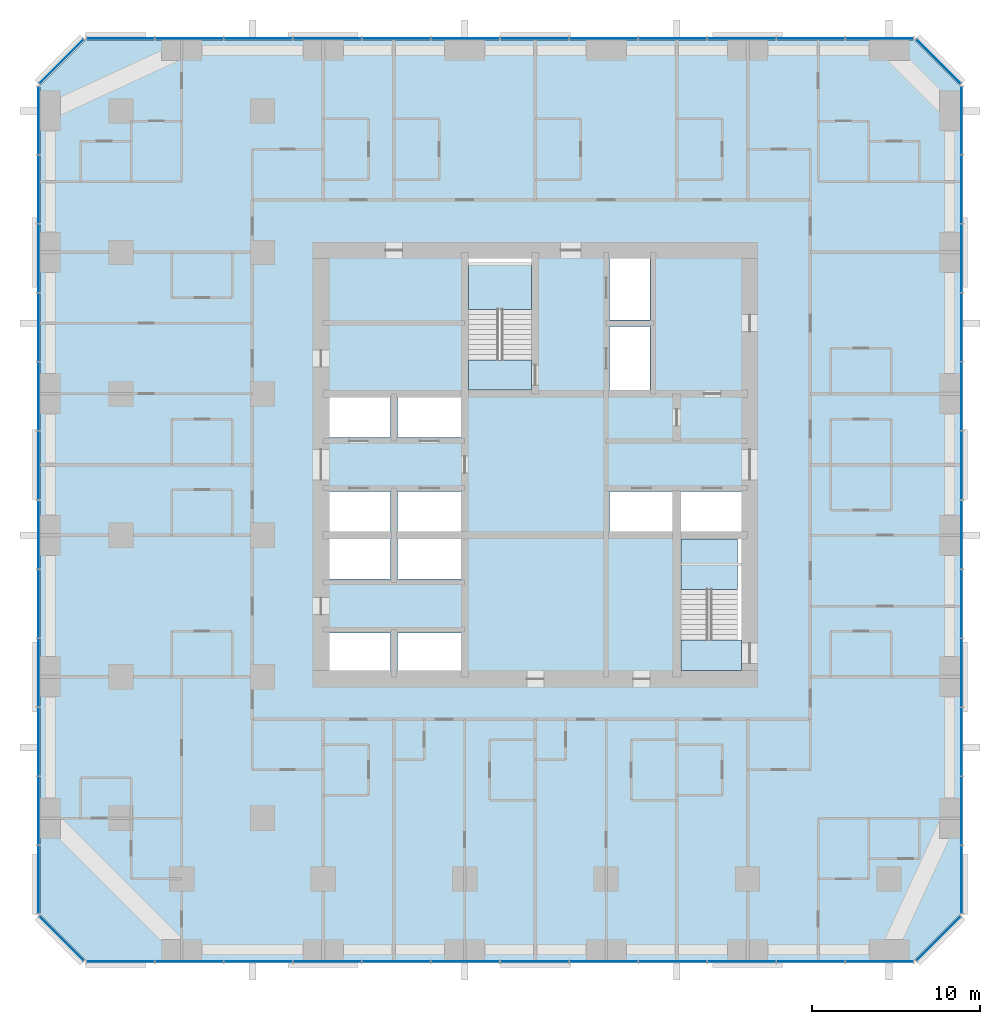
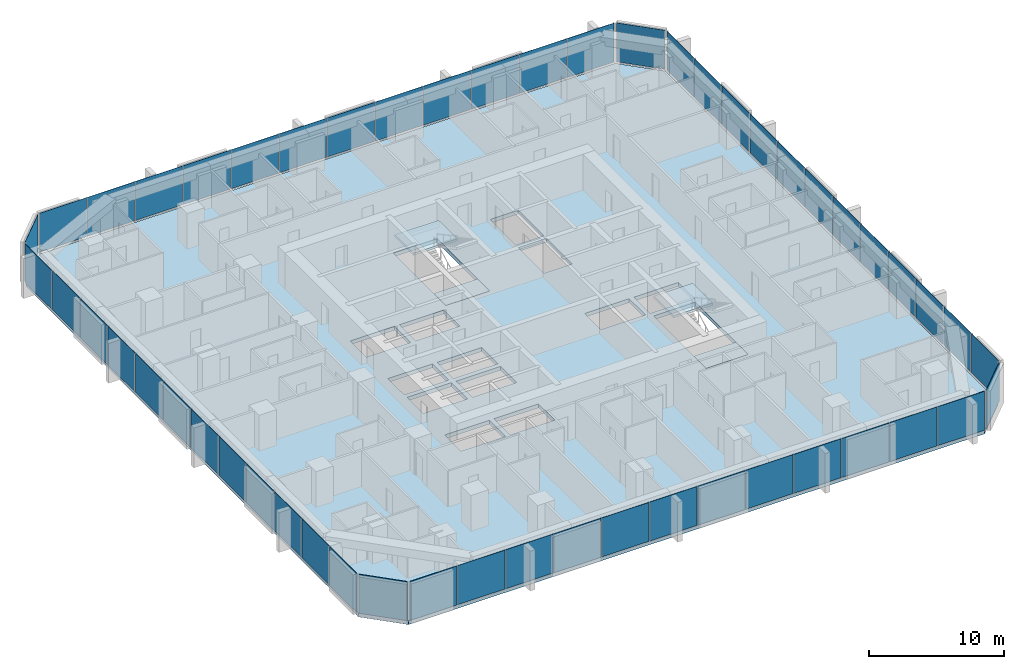
# One storey, part 7 of 14: 52 plates, 5 slabs, 10 elements without a shape of their own.
"""IFC4 building model written with IfcOpenShell, lengths in metres."""

from ifc_helpers import new_model, si_unit, direction, frame, origin, origin_2d, place, context, subcontext, project, spatial, polyline, rectangle, outline, extrude, material, layer, layer_set, type_object, element, aggregate, save


model = new_model("IFC4")

# Units and contexts
model_context = context("Model", 3, precision=1e-05, world=origin(), true_north=direction((0.0, 1.0)))
body_context = subcontext(model_context, "Body", "Model", "MODEL_VIEW")
ifc_project = project(units=[si_unit("LENGTHUNIT", "METRE"), si_unit("AREAUNIT", "SQUARE_METRE"), si_unit("VOLUMEUNIT", "CUBIC_METRE"), si_unit("PLANEANGLEUNIT", "RADIAN"), si_unit("MASSUNIT", "GRAM", prefix="KILO")], contexts=[model_context])

# Site, building, storey
site_placement = place(None, origin())
site = spatial("IfcSite", under=ifc_project, at=site_placement, CompositionType="ELEMENT")
building_placement = place(site_placement, origin())
building = spatial("IfcBuilding", under=site, at=building_placement, Name="Dunama Terrace Hotel", CompositionType="ELEMENT")
storey_placement = place(building_placement, frame((0.0, 0.0, 140.39990234375)))
storey = spatial("IfcBuildingStorey", under=building, at=storey_placement, Name="L36", CompositionType="ELEMENT", Elevation=140.39990234375)

# Curtain wall, plates
ifc_material_1 = material(Name="Aluminium curtain wall system", Category="aluminium")
curtain_wall_type = type_object("IfcCurtainWallType", Name="Unitised fritted glass wall CW-B", PredefinedType="NOTDEFINED", material=ifc_material_1)
curtain_wall_1_placement = place(storey_placement, origin())
curtain_wall_1 = element("IfcCurtainWall", 1, at=curtain_wall_1_placement, inside=storey, type_object=curtain_wall_type, Name="Unitised fritted glass wall CW-B L36", PredefinedType="NOTDEFINED")
ifc_material_2 = material(Name="Laminated glass", Category="glass")
ifc_layer_1 = layer(ifc_material_2, 0.030029296875)
ifc_layer_set_1 = layer_set([ifc_layer_1], Name="CWB clear glass panel")
plate_type_1 = type_object("IfcPlateType", Name="CWB clear glass panel", PredefinedType="CURTAIN_PANEL", material=ifc_layer_set_1)
plate_1_placement = place(storey_placement, frame((8.85009765625, -0.110107421875, 0.080078125), z_axis=(0.0, 0.0, 1.0), x_axis=(1.0, 0.0, 0.0)))
plate_1 = element("IfcPlate", 2, at=plate_1_placement, type_object=plate_type_1, Name="CWB clear glass panel", PredefinedType="CURTAIN_PANEL", context=body_context, shape_type="SweptSolid", body=[
    extrude(rectangle(XDim=4.034912109375, YDim=0.030029296875, at=origin_2d()), origin(), (0.0, 0.0, 1.0), 3.52001953125),
])
plate_2_placement = place(storey_placement, frame((21.14990234375, -0.110107421875, 0.080078125), z_axis=(0.0, 0.0, 1.0), x_axis=(1.0, 0.0, 0.0)))
plate_2 = element("IfcPlate", 3, at=plate_2_placement, type_object=plate_type_1, Name="CWB clear glass panel", PredefinedType="CURTAIN_PANEL", context=body_context, shape_type="SweptSolid", body=[
    extrude(rectangle(XDim=4.034912109375, YDim=0.030029296875, at=origin_2d()), origin(), (0.0, 0.0, 1.0), 3.52001953125),
])
plate_3_placement = place(storey_placement, frame((33.449951171875, -0.110107421875, 0.080078125), z_axis=(0.0, 0.0, 1.0), x_axis=(1.0, 0.0, 0.0)))
plate_3 = element("IfcPlate", 4, at=plate_3_placement, type_object=plate_type_1, Name="CWB clear glass panel", PredefinedType="CURTAIN_PANEL", context=body_context, shape_type="SweptSolid", body=[
    extrude(rectangle(XDim=4.034912109375, YDim=0.030029296875, at=origin_2d()), origin(), (0.0, 0.0, 1.0), 3.52001953125),
])
plate_4_placement = place(storey_placement, frame((45.75, -0.110107421875, 0.080078125), z_axis=(0.0, 0.0, 1.0), x_axis=(1.0, 0.0, 0.0)))
plate_4 = element("IfcPlate", 5, at=plate_4_placement, type_object=plate_type_1, Name="CWB clear glass panel", PredefinedType="CURTAIN_PANEL", context=body_context, shape_type="SweptSolid", body=[
    extrude(rectangle(XDim=4.034912109375, YDim=0.030029296875, at=origin_2d()), origin(), (0.0, 0.0, 1.0), 3.52001953125),
])

curtain_wall_2_placement = place(storey_placement, origin())
curtain_wall_2 = element("IfcCurtainWall", 6, at=curtain_wall_2_placement, inside=storey, type_object=curtain_wall_type, Name="Unitised fritted glass wall CW-B L36", PredefinedType="NOTDEFINED")
plate_5_placement = place(storey_placement, frame((54.7099609375, 4.76611328125, 0.080078125), z_axis=(0.0, 0.0, 1.0), x_axis=(0.0, 1.0, 0.0)))
plate_5 = element("IfcPlate", 7, at=plate_5_placement, type_object=plate_type_1, Name="CWB clear glass panel", PredefinedType="CURTAIN_PANEL", context=body_context, shape_type="SweptSolid", body=[
    extrude(rectangle(XDim=4.00244140625, YDim=0.030029296875, at=origin_2d()), origin(), (0.0, 0.0, 1.0), 3.52001953125),
])
plate_6_placement = place(storey_placement, frame((54.7099609375, 17.050048828125, 0.080078125), z_axis=(0.0, 0.0, 1.0), x_axis=(0.0, 1.0, 0.0)))
plate_6 = element("IfcPlate", 8, at=plate_6_placement, type_object=plate_type_1, Name="CWB clear glass panel", PredefinedType="CURTAIN_PANEL", context=body_context, shape_type="SweptSolid", body=[
    extrude(rectangle(XDim=4.034912109375, YDim=0.030029296875, at=origin_2d()), origin(), (0.0, 0.0, 1.0), 3.52001953125),
])
plate_7_placement = place(storey_placement, frame((54.7099609375, 29.35009765625, 0.080078125), z_axis=(0.0, 0.0, 1.0), x_axis=(0.0, 1.0, 0.0)))
plate_7 = element("IfcPlate", 9, at=plate_7_placement, type_object=plate_type_1, Name="CWB clear glass panel", PredefinedType="CURTAIN_PANEL", context=body_context, shape_type="SweptSolid", body=[
    extrude(rectangle(XDim=4.034912109375, YDim=0.030029296875, at=origin_2d()), origin(), (0.0, 0.0, 1.0), 3.52001953125),
])
plate_8_placement = place(storey_placement, frame((54.7099609375, 41.64990234375, 0.080078125), z_axis=(0.0, 0.0, 1.0), x_axis=(0.0, 1.0, 0.0)))
plate_8 = element("IfcPlate", 10, at=plate_8_placement, type_object=plate_type_1, Name="CWB clear glass panel", PredefinedType="CURTAIN_PANEL", context=body_context, shape_type="SweptSolid", body=[
    extrude(rectangle(XDim=4.034912109375, YDim=0.030029296875, at=origin_2d()), origin(), (0.0, 0.0, 1.0), 3.52001953125),
])

# Curtain wall, plate
curtain_wall_3_placement = place(storey_placement, origin())
curtain_wall_3 = element("IfcCurtainWall", 11, at=curtain_wall_3_placement, inside=storey, type_object=curtain_wall_type, Name="Unitised fritted glass wall CW-B L36", PredefinedType="NOTDEFINED")
plate_9_placement = place(storey_placement, frame((53.327880859375, 53.327880859375, 0.080078125), z_axis=(0.0, 0.0, 1.0), x_axis=(-0.707106781187, 0.707106781187, 0.0)))
plate_9 = element("IfcPlate", 12, at=plate_9_placement, type_object=plate_type_1, Name="CWB clear glass panel", PredefinedType="CURTAIN_PANEL", context=body_context, shape_type="SweptSolid", body=[
    extrude(rectangle(XDim=3.6884765625, YDim=0.030029296875, at=origin_2d()), origin(), (0.0, 0.0, 1.0), 3.52001953125),
])
aggregate(curtain_wall_3, [plate_9])

# Curtain wall, plates
curtain_wall_4_placement = place(storey_placement, origin())
curtain_wall_4 = element("IfcCurtainWall", 13, at=curtain_wall_4_placement, inside=storey, type_object=curtain_wall_type, Name="Unitised fritted glass wall CW-B L36", PredefinedType="NOTDEFINED")
plate_10_placement = place(storey_placement, frame((41.64990234375, 54.7099609375, 0.080078125), z_axis=(0.0, 0.0, 1.0), x_axis=(-1.0, 0.0, 0.0)))
plate_10 = element("IfcPlate", 14, at=plate_10_placement, type_object=plate_type_1, Name="CWB clear glass panel", PredefinedType="CURTAIN_PANEL", context=body_context, shape_type="SweptSolid", body=[
    extrude(rectangle(XDim=4.034912109375, YDim=0.030029296875, at=origin_2d()), origin(), (0.0, 0.0, 1.0), 3.52001953125),
])
plate_11_placement = place(storey_placement, frame((29.35009765625, 54.7099609375, 0.080078125), z_axis=(0.0, 0.0, 1.0), x_axis=(-1.0, 0.0, 0.0)))
plate_11 = element("IfcPlate", 15, at=plate_11_placement, type_object=plate_type_1, Name="CWB clear glass panel", PredefinedType="CURTAIN_PANEL", context=body_context, shape_type="SweptSolid", body=[
    extrude(rectangle(XDim=4.034912109375, YDim=0.030029296875, at=origin_2d()), origin(), (0.0, 0.0, 1.0), 3.52001953125),
])
plate_12_placement = place(storey_placement, frame((17.050048828125, 54.7099609375, 0.080078125), z_axis=(0.0, 0.0, 1.0), x_axis=(-1.0, 0.0, 0.0)))
plate_12 = element("IfcPlate", 16, at=plate_12_placement, type_object=plate_type_1, Name="CWB clear glass panel", PredefinedType="CURTAIN_PANEL", context=body_context, shape_type="SweptSolid", body=[
    extrude(rectangle(XDim=4.034912109375, YDim=0.030029296875, at=origin_2d()), origin(), (0.0, 0.0, 1.0), 3.52001953125),
])
plate_13_placement = place(storey_placement, frame((4.76611328125, 54.7099609375, 0.080078125), z_axis=(0.0, 0.0, 1.0), x_axis=(-1.0, 0.0, 0.0)))
plate_13 = element("IfcPlate", 17, at=plate_13_placement, type_object=plate_type_1, Name="CWB clear glass panel", PredefinedType="CURTAIN_PANEL", context=body_context, shape_type="SweptSolid", body=[
    extrude(rectangle(XDim=4.00244140625, YDim=0.030029296875, at=origin_2d()), origin(), (0.0, 0.0, 1.0), 3.52001953125),
])

curtain_wall_5_placement = place(storey_placement, origin())
curtain_wall_5 = element("IfcCurtainWall", 18, at=curtain_wall_5_placement, inside=storey, type_object=curtain_wall_type, Name="Unitised fritted glass wall CW-B L36", PredefinedType="NOTDEFINED")
plate_14_placement = place(storey_placement, frame((-0.110107421875, 45.75, 0.080078125), z_axis=(0.0, 0.0, 1.0), x_axis=(0.0, -1.0, 0.0)))
plate_14 = element("IfcPlate", 19, at=plate_14_placement, type_object=plate_type_1, Name="CWB clear glass panel", PredefinedType="CURTAIN_PANEL", context=body_context, shape_type="SweptSolid", body=[
    extrude(rectangle(XDim=4.034912109375, YDim=0.030029296875, at=origin_2d()), origin(), (0.0, 0.0, 1.0), 3.52001953125),
])
plate_15_placement = place(storey_placement, frame((-0.110107421875, 33.449951171875, 0.080078125), z_axis=(0.0, 0.0, 1.0), x_axis=(0.0, -1.0, 0.0)))
plate_15 = element("IfcPlate", 20, at=plate_15_placement, type_object=plate_type_1, Name="CWB clear glass panel", PredefinedType="CURTAIN_PANEL", context=body_context, shape_type="SweptSolid", body=[
    extrude(rectangle(XDim=4.034912109375, YDim=0.030029296875, at=origin_2d()), origin(), (0.0, 0.0, 1.0), 3.52001953125),
])
plate_16_placement = place(storey_placement, frame((-0.110107421875, 21.14990234375, 0.080078125), z_axis=(0.0, 0.0, 1.0), x_axis=(0.0, -1.0, 0.0)))
plate_16 = element("IfcPlate", 21, at=plate_16_placement, type_object=plate_type_1, Name="CWB clear glass panel", PredefinedType="CURTAIN_PANEL", context=body_context, shape_type="SweptSolid", body=[
    extrude(rectangle(XDim=4.034912109375, YDim=0.030029296875, at=origin_2d()), origin(), (0.0, 0.0, 1.0), 3.52001953125),
])
plate_17_placement = place(storey_placement, frame((-0.110107421875, 8.85009765625, 0.080078125), z_axis=(0.0, 0.0, 1.0), x_axis=(0.0, -1.0, 0.0)))
plate_17 = element("IfcPlate", 22, at=plate_17_placement, type_object=plate_type_1, Name="CWB clear glass panel", PredefinedType="CURTAIN_PANEL", context=body_context, shape_type="SweptSolid", body=[
    extrude(rectangle(XDim=4.034912109375, YDim=0.030029296875, at=origin_2d()), origin(), (0.0, 0.0, 1.0), 3.52001953125),
])

# Plate
ifc_material_3 = material(Name="Fritted laminated glass", Category="glass")
ifc_layer_2 = layer(ifc_material_3, 0.030029296875)
ifc_layer_set_2 = layer_set([ifc_layer_2], Name="CWB fritted glass panel")
plate_type_2 = type_object("IfcPlateType", Name="CWB fritted glass panel", PredefinedType="CURTAIN_PANEL", material=ifc_layer_set_2)
plate_18_placement = place(storey_placement, frame((4.76611328125, -0.110107421875, 0.080078125), z_axis=(0.0, 0.0, 1.0), x_axis=(1.0, 0.0, 0.0)))
plate_18 = element("IfcPlate", 23, at=plate_18_placement, type_object=plate_type_2, Name="CWB fritted glass panel", PredefinedType="CURTAIN_PANEL", context=body_context, shape_type="SweptSolid", body=[
    extrude(rectangle(XDim=4.00244140625, YDim=0.030029296875, at=origin_2d()), origin(), (0.0, 0.0, 1.0), 3.52001953125),
])

plate_19_placement = place(storey_placement, frame((17.050048828125, -0.110107421875, 0.080078125), z_axis=(0.0, 0.0, 1.0), x_axis=(1.0, 0.0, 0.0)))
plate_19 = element("IfcPlate", 24, at=plate_19_placement, type_object=plate_type_2, Name="CWB fritted glass panel", PredefinedType="CURTAIN_PANEL", context=body_context, shape_type="SweptSolid", body=[
    extrude(rectangle(XDim=4.034912109375, YDim=0.030029296875, at=origin_2d()), origin(), (0.0, 0.0, 1.0), 3.52001953125),
])

plate_20_placement = place(storey_placement, frame((29.35009765625, -0.110107421875, 0.080078125), z_axis=(0.0, 0.0, 1.0), x_axis=(1.0, 0.0, 0.0)))
plate_20 = element("IfcPlate", 25, at=plate_20_placement, type_object=plate_type_2, Name="CWB fritted glass panel", PredefinedType="CURTAIN_PANEL", context=body_context, shape_type="SweptSolid", body=[
    extrude(rectangle(XDim=4.034912109375, YDim=0.030029296875, at=origin_2d()), origin(), (0.0, 0.0, 1.0), 3.52001953125),
])

plate_21_placement = place(storey_placement, frame((41.64990234375, -0.110107421875, 0.080078125), z_axis=(0.0, 0.0, 1.0), x_axis=(1.0, 0.0, 0.0)))
plate_21 = element("IfcPlate", 26, at=plate_21_placement, type_object=plate_type_2, Name="CWB fritted glass panel", PredefinedType="CURTAIN_PANEL", context=body_context, shape_type="SweptSolid", body=[
    extrude(rectangle(XDim=4.034912109375, YDim=0.030029296875, at=origin_2d()), origin(), (0.0, 0.0, 1.0), 3.52001953125),
])

# Curtain wall, plate
curtain_wall_6_placement = place(storey_placement, origin())
curtain_wall_6 = element("IfcCurtainWall", 27, at=curtain_wall_6_placement, inside=storey, type_object=curtain_wall_type, Name="Unitised fritted glass wall CW-B L36", PredefinedType="NOTDEFINED")
plate_22_placement = place(storey_placement, frame((53.327880859375, 1.27197265625, 0.080078125), z_axis=(0.0, 0.0, 1.0), x_axis=(0.707106781187, 0.707106781187, 0.0)))
plate_22 = element("IfcPlate", 28, at=plate_22_placement, type_object=plate_type_2, Name="CWB fritted glass panel", PredefinedType="CURTAIN_PANEL", context=body_context, shape_type="SweptSolid", body=[
    extrude(rectangle(XDim=3.6884765625, YDim=0.030029296875, at=origin_2d()), origin(), (0.0, 0.0, 1.0), 3.52001953125),
])
aggregate(curtain_wall_6, [plate_22])

# Plate
plate_23_placement = place(storey_placement, frame((54.7099609375, 12.949951171875, 0.080078125), z_axis=(0.0, 0.0, 1.0), x_axis=(0.0, 1.0, 0.0)))
plate_23 = element("IfcPlate", 29, at=plate_23_placement, type_object=plate_type_2, Name="CWB fritted glass panel", PredefinedType="CURTAIN_PANEL", context=body_context, shape_type="SweptSolid", body=[
    extrude(rectangle(XDim=4.034912109375, YDim=0.030029296875, at=origin_2d()), origin(), (0.0, 0.0, 1.0), 3.52001953125),
])

plate_24_placement = place(storey_placement, frame((54.7099609375, 25.25, 0.080078125), z_axis=(0.0, 0.0, 1.0), x_axis=(0.0, 1.0, 0.0)))
plate_24 = element("IfcPlate", 30, at=plate_24_placement, type_object=plate_type_2, Name="CWB fritted glass panel", PredefinedType="CURTAIN_PANEL", context=body_context, shape_type="SweptSolid", body=[
    extrude(rectangle(XDim=4.034912109375, YDim=0.030029296875, at=origin_2d()), origin(), (0.0, 0.0, 1.0), 3.52001953125),
])

plate_25_placement = place(storey_placement, frame((54.7099609375, 37.550048828125, 0.080078125), z_axis=(0.0, 0.0, 1.0), x_axis=(0.0, 1.0, 0.0)))
plate_25 = element("IfcPlate", 31, at=plate_25_placement, type_object=plate_type_2, Name="CWB fritted glass panel", PredefinedType="CURTAIN_PANEL", context=body_context, shape_type="SweptSolid", body=[
    extrude(rectangle(XDim=4.034912109375, YDim=0.030029296875, at=origin_2d()), origin(), (0.0, 0.0, 1.0), 3.52001953125),
])

plate_26_placement = place(storey_placement, frame((54.7099609375, 49.833984375, 0.080078125), z_axis=(0.0, 0.0, 1.0), x_axis=(0.0, 1.0, 0.0)))
plate_26 = element("IfcPlate", 32, at=plate_26_placement, type_object=plate_type_2, Name="CWB fritted glass panel", PredefinedType="CURTAIN_PANEL", context=body_context, shape_type="SweptSolid", body=[
    extrude(rectangle(XDim=4.00244140625, YDim=0.030029296875, at=origin_2d()), origin(), (0.0, 0.0, 1.0), 3.52001953125),
])

plate_27_placement = place(storey_placement, frame((45.75, 54.7099609375, 0.080078125), z_axis=(0.0, 0.0, 1.0), x_axis=(-1.0, 0.0, 0.0)))
plate_27 = element("IfcPlate", 33, at=plate_27_placement, type_object=plate_type_2, Name="CWB fritted glass panel", PredefinedType="CURTAIN_PANEL", context=body_context, shape_type="SweptSolid", body=[
    extrude(rectangle(XDim=4.034912109375, YDim=0.030029296875, at=origin_2d()), origin(), (0.0, 0.0, 1.0), 3.52001953125),
])

plate_28_placement = place(storey_placement, frame((33.449951171875, 54.7099609375, 0.080078125), z_axis=(0.0, 0.0, 1.0), x_axis=(-1.0, 0.0, 0.0)))
plate_28 = element("IfcPlate", 34, at=plate_28_placement, type_object=plate_type_2, Name="CWB fritted glass panel", PredefinedType="CURTAIN_PANEL", context=body_context, shape_type="SweptSolid", body=[
    extrude(rectangle(XDim=4.034912109375, YDim=0.030029296875, at=origin_2d()), origin(), (0.0, 0.0, 1.0), 3.52001953125),
])

plate_29_placement = place(storey_placement, frame((21.14990234375, 54.7099609375, 0.080078125), z_axis=(0.0, 0.0, 1.0), x_axis=(-1.0, 0.0, 0.0)))
plate_29 = element("IfcPlate", 35, at=plate_29_placement, type_object=plate_type_2, Name="CWB fritted glass panel", PredefinedType="CURTAIN_PANEL", context=body_context, shape_type="SweptSolid", body=[
    extrude(rectangle(XDim=4.034912109375, YDim=0.030029296875, at=origin_2d()), origin(), (0.0, 0.0, 1.0), 3.52001953125),
])

plate_30_placement = place(storey_placement, frame((8.85009765625, 54.7099609375, 0.080078125), z_axis=(0.0, 0.0, 1.0), x_axis=(-1.0, 0.0, 0.0)))
plate_30 = element("IfcPlate", 36, at=plate_30_placement, type_object=plate_type_2, Name="CWB fritted glass panel", PredefinedType="CURTAIN_PANEL", context=body_context, shape_type="SweptSolid", body=[
    extrude(rectangle(XDim=4.034912109375, YDim=0.030029296875, at=origin_2d()), origin(), (0.0, 0.0, 1.0), 3.52001953125),
])

plate_31_placement = place(storey_placement, frame((-0.110107421875, 49.833984375, 0.080078125), z_axis=(0.0, 0.0, 1.0), x_axis=(0.0, -1.0, 0.0)))
plate_31 = element("IfcPlate", 37, at=plate_31_placement, type_object=plate_type_2, Name="CWB fritted glass panel", PredefinedType="CURTAIN_PANEL", context=body_context, shape_type="SweptSolid", body=[
    extrude(rectangle(XDim=4.00244140625, YDim=0.030029296875, at=origin_2d()), origin(), (0.0, 0.0, 1.0), 3.52001953125),
])

plate_32_placement = place(storey_placement, frame((-0.110107421875, 37.550048828125, 0.080078125), z_axis=(0.0, 0.0, 1.0), x_axis=(0.0, -1.0, 0.0)))
plate_32 = element("IfcPlate", 38, at=plate_32_placement, type_object=plate_type_2, Name="CWB fritted glass panel", PredefinedType="CURTAIN_PANEL", context=body_context, shape_type="SweptSolid", body=[
    extrude(rectangle(XDim=4.034912109375, YDim=0.030029296875, at=origin_2d()), origin(), (0.0, 0.0, 1.0), 3.52001953125),
])

plate_33_placement = place(storey_placement, frame((-0.110107421875, 25.25, 0.080078125), z_axis=(0.0, 0.0, 1.0), x_axis=(0.0, -1.0, 0.0)))
plate_33 = element("IfcPlate", 39, at=plate_33_placement, type_object=plate_type_2, Name="CWB fritted glass panel", PredefinedType="CURTAIN_PANEL", context=body_context, shape_type="SweptSolid", body=[
    extrude(rectangle(XDim=4.034912109375, YDim=0.030029296875, at=origin_2d()), origin(), (0.0, 0.0, 1.0), 3.52001953125),
])

plate_34_placement = place(storey_placement, frame((-0.110107421875, 12.949951171875, 0.080078125), z_axis=(0.0, 0.0, 1.0), x_axis=(0.0, -1.0, 0.0)))
plate_34 = element("IfcPlate", 40, at=plate_34_placement, type_object=plate_type_2, Name="CWB fritted glass panel", PredefinedType="CURTAIN_PANEL", context=body_context, shape_type="SweptSolid", body=[
    extrude(rectangle(XDim=4.034912109375, YDim=0.030029296875, at=origin_2d()), origin(), (0.0, 0.0, 1.0), 3.52001953125),
])

# Curtain wall, plate
curtain_wall_7_placement = place(storey_placement, origin())
curtain_wall_7 = element("IfcCurtainWall", 41, at=curtain_wall_7_placement, inside=storey, type_object=curtain_wall_type, Name="Unitised fritted glass wall CW-B L36", PredefinedType="NOTDEFINED")
plate_35_placement = place(storey_placement, frame((1.27197265625, 1.27197265625, 0.080078125), z_axis=(0.0, 0.0, 1.0), x_axis=(0.707106781187, -0.707106781187, 0.0)))
plate_35 = element("IfcPlate", 42, at=plate_35_placement, type_object=plate_type_2, Name="CWB fritted glass panel", PredefinedType="CURTAIN_PANEL", context=body_context, shape_type="SweptSolid", body=[
    extrude(rectangle(XDim=3.6884765625, YDim=0.030029296875, at=origin_2d()), origin(), (0.0, 0.0, 1.0), 3.52001953125),
])
aggregate(curtain_wall_7, [plate_35])

# Plate
ifc_material_4 = material(Name="Laminated glass", Category="glass")
ifc_layer_3 = layer(ifc_material_4, 0.030029296875)
ifc_layer_set_3 = layer_set([ifc_layer_3], Name="CWB operable glass panel")
plate_type_3 = type_object("IfcPlateType", Name="CWB operable glass panel", PredefinedType="CURTAIN_PANEL", material=ifc_layer_set_3)
plate_36_placement = place(storey_placement, frame((12.949951171875, -0.110107421875, 0.080078125), z_axis=(0.0, 0.0, 1.0), x_axis=(1.0, 0.0, 0.0)))
plate_36 = element("IfcPlate", 43, at=plate_36_placement, type_object=plate_type_3, Name="CWB operable glass panel", PredefinedType="CURTAIN_PANEL", context=body_context, shape_type="SweptSolid", body=[
    extrude(rectangle(XDim=4.034912109375, YDim=0.030029296875, at=origin_2d()), origin(), (0.0, 0.0, 1.0), 3.52001953125),
])

plate_37_placement = place(storey_placement, frame((25.25, -0.110107421875, 0.080078125), z_axis=(0.0, 0.0, 1.0), x_axis=(1.0, 0.0, 0.0)))
plate_37 = element("IfcPlate", 44, at=plate_37_placement, type_object=plate_type_3, Name="CWB operable glass panel", PredefinedType="CURTAIN_PANEL", context=body_context, shape_type="SweptSolid", body=[
    extrude(rectangle(XDim=4.034912109375, YDim=0.030029296875, at=origin_2d()), origin(), (0.0, 0.0, 1.0), 3.52001953125),
])

plate_38_placement = place(storey_placement, frame((37.550048828125, -0.110107421875, 0.080078125), z_axis=(0.0, 0.0, 1.0), x_axis=(1.0, 0.0, 0.0)))
plate_38 = element("IfcPlate", 45, at=plate_38_placement, type_object=plate_type_3, Name="CWB operable glass panel", PredefinedType="CURTAIN_PANEL", context=body_context, shape_type="SweptSolid", body=[
    extrude(rectangle(XDim=4.034912109375, YDim=0.030029296875, at=origin_2d()), origin(), (0.0, 0.0, 1.0), 3.52001953125),
])

plate_39_placement = place(storey_placement, frame((49.833984375, -0.110107421875, 0.080078125), z_axis=(0.0, 0.0, 1.0), x_axis=(1.0, 0.0, 0.0)))
plate_39 = element("IfcPlate", 46, at=plate_39_placement, type_object=plate_type_3, Name="CWB operable glass panel", PredefinedType="CURTAIN_PANEL", context=body_context, shape_type="SweptSolid", body=[
    extrude(rectangle(XDim=4.00244140625, YDim=0.030029296875, at=origin_2d()), origin(), (0.0, 0.0, 1.0), 3.52001953125),
])

aggregate(curtain_wall_1, [plate_18, plate_1, plate_36, plate_19, plate_2, plate_37, plate_20, plate_3, plate_38, plate_21, plate_4, plate_39])

plate_40_placement = place(storey_placement, frame((54.7099609375, 8.85009765625, 0.080078125), z_axis=(0.0, 0.0, 1.0), x_axis=(0.0, 1.0, 0.0)))
plate_40 = element("IfcPlate", 47, at=plate_40_placement, type_object=plate_type_3, Name="CWB operable glass panel", PredefinedType="CURTAIN_PANEL", context=body_context, shape_type="SweptSolid", body=[
    extrude(rectangle(XDim=4.034912109375, YDim=0.030029296875, at=origin_2d()), origin(), (0.0, 0.0, 1.0), 3.52001953125),
])

plate_41_placement = place(storey_placement, frame((54.7099609375, 21.14990234375, 0.080078125), z_axis=(0.0, 0.0, 1.0), x_axis=(0.0, 1.0, 0.0)))
plate_41 = element("IfcPlate", 48, at=plate_41_placement, type_object=plate_type_3, Name="CWB operable glass panel", PredefinedType="CURTAIN_PANEL", context=body_context, shape_type="SweptSolid", body=[
    extrude(rectangle(XDim=4.034912109375, YDim=0.030029296875, at=origin_2d()), origin(), (0.0, 0.0, 1.0), 3.52001953125),
])

plate_42_placement = place(storey_placement, frame((54.7099609375, 33.449951171875, 0.080078125), z_axis=(0.0, 0.0, 1.0), x_axis=(0.0, 1.0, 0.0)))
plate_42 = element("IfcPlate", 49, at=plate_42_placement, type_object=plate_type_3, Name="CWB operable glass panel", PredefinedType="CURTAIN_PANEL", context=body_context, shape_type="SweptSolid", body=[
    extrude(rectangle(XDim=4.034912109375, YDim=0.030029296875, at=origin_2d()), origin(), (0.0, 0.0, 1.0), 3.52001953125),
])

plate_43_placement = place(storey_placement, frame((54.7099609375, 45.75, 0.080078125), z_axis=(0.0, 0.0, 1.0), x_axis=(0.0, 1.0, 0.0)))
plate_43 = element("IfcPlate", 50, at=plate_43_placement, type_object=plate_type_3, Name="CWB operable glass panel", PredefinedType="CURTAIN_PANEL", context=body_context, shape_type="SweptSolid", body=[
    extrude(rectangle(XDim=4.034912109375, YDim=0.030029296875, at=origin_2d()), origin(), (0.0, 0.0, 1.0), 3.52001953125),
])

aggregate(curtain_wall_2, [plate_5, plate_40, plate_23, plate_6, plate_41, plate_24, plate_7, plate_42, plate_25, plate_8, plate_43, plate_26])

plate_44_placement = place(storey_placement, frame((49.833984375, 54.7099609375, 0.080078125), z_axis=(0.0, 0.0, 1.0), x_axis=(-1.0, 0.0, 0.0)))
plate_44 = element("IfcPlate", 51, at=plate_44_placement, type_object=plate_type_3, Name="CWB operable glass panel", PredefinedType="CURTAIN_PANEL", context=body_context, shape_type="SweptSolid", body=[
    extrude(rectangle(XDim=4.00244140625, YDim=0.030029296875, at=origin_2d()), origin(), (0.0, 0.0, 1.0), 3.52001953125),
])

plate_45_placement = place(storey_placement, frame((37.550048828125, 54.7099609375, 0.080078125), z_axis=(0.0, 0.0, 1.0), x_axis=(-1.0, 0.0, 0.0)))
plate_45 = element("IfcPlate", 52, at=plate_45_placement, type_object=plate_type_3, Name="CWB operable glass panel", PredefinedType="CURTAIN_PANEL", context=body_context, shape_type="SweptSolid", body=[
    extrude(rectangle(XDim=4.034912109375, YDim=0.030029296875, at=origin_2d()), origin(), (0.0, 0.0, 1.0), 3.52001953125),
])

plate_46_placement = place(storey_placement, frame((25.25, 54.7099609375, 0.080078125), z_axis=(0.0, 0.0, 1.0), x_axis=(-1.0, 0.0, 0.0)))
plate_46 = element("IfcPlate", 53, at=plate_46_placement, type_object=plate_type_3, Name="CWB operable glass panel", PredefinedType="CURTAIN_PANEL", context=body_context, shape_type="SweptSolid", body=[
    extrude(rectangle(XDim=4.034912109375, YDim=0.030029296875, at=origin_2d()), origin(), (0.0, 0.0, 1.0), 3.52001953125),
])

plate_47_placement = place(storey_placement, frame((12.949951171875, 54.7099609375, 0.080078125), z_axis=(0.0, 0.0, 1.0), x_axis=(-1.0, 0.0, 0.0)))
plate_47 = element("IfcPlate", 54, at=plate_47_placement, type_object=plate_type_3, Name="CWB operable glass panel", PredefinedType="CURTAIN_PANEL", context=body_context, shape_type="SweptSolid", body=[
    extrude(rectangle(XDim=4.034912109375, YDim=0.030029296875, at=origin_2d()), origin(), (0.0, 0.0, 1.0), 3.52001953125),
])

aggregate(curtain_wall_4, [plate_44, plate_27, plate_10, plate_45, plate_28, plate_11, plate_46, plate_29, plate_12, plate_47, plate_30, plate_13])

# Curtain wall, plate
curtain_wall_8_placement = place(storey_placement, origin())
curtain_wall_8 = element("IfcCurtainWall", 55, at=curtain_wall_8_placement, inside=storey, type_object=curtain_wall_type, Name="Unitised fritted glass wall CW-B L36", PredefinedType="NOTDEFINED")
plate_48_placement = place(storey_placement, frame((1.27197265625, 53.327880859375, 0.080078125), z_axis=(0.0, 0.0, 1.0), x_axis=(-0.707106781187, -0.707106781187, 0.0)))
plate_48 = element("IfcPlate", 56, at=plate_48_placement, type_object=plate_type_3, Name="CWB operable glass panel", PredefinedType="CURTAIN_PANEL", context=body_context, shape_type="SweptSolid", body=[
    extrude(rectangle(XDim=3.6884765625, YDim=0.030029296875, at=origin_2d()), origin(), (0.0, 0.0, 1.0), 3.52001953125),
])
aggregate(curtain_wall_8, [plate_48])

# Plate
plate_49_placement = place(storey_placement, frame((-0.110107421875, 41.64990234375, 0.080078125), z_axis=(0.0, 0.0, 1.0), x_axis=(0.0, -1.0, 0.0)))
plate_49 = element("IfcPlate", 57, at=plate_49_placement, type_object=plate_type_3, Name="CWB operable glass panel", PredefinedType="CURTAIN_PANEL", context=body_context, shape_type="SweptSolid", body=[
    extrude(rectangle(XDim=4.034912109375, YDim=0.030029296875, at=origin_2d()), origin(), (0.0, 0.0, 1.0), 3.52001953125),
])

plate_50_placement = place(storey_placement, frame((-0.110107421875, 29.35009765625, 0.080078125), z_axis=(0.0, 0.0, 1.0), x_axis=(0.0, -1.0, 0.0)))
plate_50 = element("IfcPlate", 58, at=plate_50_placement, type_object=plate_type_3, Name="CWB operable glass panel", PredefinedType="CURTAIN_PANEL", context=body_context, shape_type="SweptSolid", body=[
    extrude(rectangle(XDim=4.034912109375, YDim=0.030029296875, at=origin_2d()), origin(), (0.0, 0.0, 1.0), 3.52001953125),
])

plate_51_placement = place(storey_placement, frame((-0.110107421875, 17.050048828125, 0.080078125), z_axis=(0.0, 0.0, 1.0), x_axis=(0.0, -1.0, 0.0)))
plate_51 = element("IfcPlate", 59, at=plate_51_placement, type_object=plate_type_3, Name="CWB operable glass panel", PredefinedType="CURTAIN_PANEL", context=body_context, shape_type="SweptSolid", body=[
    extrude(rectangle(XDim=4.034912109375, YDim=0.030029296875, at=origin_2d()), origin(), (0.0, 0.0, 1.0), 3.52001953125),
])

plate_52_placement = place(storey_placement, frame((-0.110107421875, 4.76611328125, 0.080078125), z_axis=(0.0, 0.0, 1.0), x_axis=(0.0, -1.0, 0.0)))
plate_52 = element("IfcPlate", 60, at=plate_52_placement, type_object=plate_type_3, Name="CWB operable glass panel", PredefinedType="CURTAIN_PANEL", context=body_context, shape_type="SweptSolid", body=[
    extrude(rectangle(XDim=4.00244140625, YDim=0.030029296875, at=origin_2d()), origin(), (0.0, 0.0, 1.0), 3.52001953125),
])

aggregate(curtain_wall_5, [plate_31, plate_14, plate_49, plate_32, plate_15, plate_50, plate_33, plate_16, plate_51, plate_34, plate_17, plate_52])

# Slab
ifc_material_5 = material(Name="Concrete C40/50", Category="concrete")
ifc_layer_4 = layer(ifc_material_5, 0.35009765625)
ifc_layer_set_4 = layer_set([ifc_layer_4], Name="Flat plate 350")
slab_type_1 = type_object("IfcSlabType", Name="Flat plate 350", PredefinedType="FLOOR", material=ifc_layer_set_4)
slab_1_placement = place(storey_placement, frame((0.0, 0.0, -0.349853515625)))
element("IfcSlab", 61, at=slab_1_placement, inside=storey, type_object=slab_type_1, Name="Floor slab L36", PredefinedType="FLOOR", context=body_context, shape_type="SweptSolid", body=[
    extrude(outline(polyline([(2.699951171875, 0.0), (51.89990234375, 0.0), (54.60009765625, 2.699951171875), (54.60009765625, 51.89990234375), (51.89990234375, 54.60009765625), (2.699951171875, 54.60009765625), (0.0, 51.89990234375), (0.0, 2.699951171875), (2.699951171875, 0.0)]), holes=[polyline([(37.60009765625, 25.39990234375), (37.60009765625, 27.800048828125), (33.800048828125, 27.800048828125), (33.800048828125, 25.39990234375), (37.60009765625, 25.39990234375)]), polyline([(41.800048828125, 25.39990234375), (41.800048828125, 27.800048828125), (38.0, 27.800048828125), (38.0, 25.39990234375), (41.800048828125, 25.39990234375)]), polyline([(20.800048828125, 17.0), (20.800048828125, 19.39990234375), (17.0, 19.39990234375), (17.0, 17.0), (20.800048828125, 17.0)]), polyline([(25.0, 17.0), (25.0, 19.39990234375), (21.199951171875, 19.39990234375), (21.199951171875, 17.0), (25.0, 17.0)]), polyline([(20.800048828125, 22.60009765625), (20.800048828125, 25.0), (17.0, 25.0), (17.0, 22.60009765625), (20.800048828125, 22.60009765625)]), polyline([(25.0, 22.60009765625), (25.0, 25.0), (21.199951171875, 25.0), (21.199951171875, 22.60009765625), (25.0, 22.60009765625)]), polyline([(20.800048828125, 25.39990234375), (20.800048828125, 27.800048828125), (17.0, 27.800048828125), (17.0, 25.39990234375), (20.800048828125, 25.39990234375)]), polyline([(25.0, 25.39990234375), (25.0, 27.800048828125), (21.199951171875, 27.800048828125), (21.199951171875, 25.39990234375), (25.0, 25.39990234375)]), polyline([(20.800048828125, 31.0), (20.800048828125, 33.39990234375), (17.0, 33.39990234375), (17.0, 31.0), (20.800048828125, 31.0)]), polyline([(25.0, 31.0), (25.0, 33.39990234375), (21.199951171875, 33.39990234375), (21.199951171875, 31.0), (25.0, 31.0)]), polyline([(36.199951171875, 38.0), (36.199951171875, 41.800048828125), (33.800048828125, 41.800048828125), (33.800048828125, 38.0), (36.199951171875, 38.0)]), polyline([(36.199951171875, 33.800048828125), (36.199951171875, 37.60009765625), (33.800048828125, 37.60009765625), (33.800048828125, 33.800048828125), (36.199951171875, 33.800048828125)]), polyline([(29.175048828125, 33.824951171875), (29.175048828125, 41.625), (25.425048828125, 41.625), (25.425048828125, 33.824951171875), (29.175048828125, 33.824951171875)]), polyline([(41.625, 17.175048828125), (41.625, 24.97509765625), (38.050048828125, 24.97509765625), (38.050048828125, 17.175048828125), (41.625, 17.175048828125)])]), origin(), (0.0, 0.0, 1.0), 0.349853515625),
])

# Stair, slabs
ifc_material_6 = material(Name="Concrete C40/50", Category="concrete")
stair_type_1 = type_object("IfcStairType", Name="Stair ST1-3600-1800", PredefinedType="HALF_TURN_STAIR", material=ifc_material_6)
stair_1_placement = place(storey_placement, origin())
stair_1 = element("IfcStair", 62, at=stair_1_placement, inside=storey, type_object=stair_type_1, Name="Stair ST1 L36", PredefinedType="HALF_TURN_STAIR")
ifc_material_7 = material(Name="Concrete C40/50", Category="concrete")
ifc_layer_5 = layer(ifc_material_7, 0.199951171875)
ifc_layer_set_5 = layer_set([ifc_layer_5], Name="Stair landing 200")
slab_type_2 = type_object("IfcSlabType", Name="Stair landing 200", PredefinedType="LANDING", material=ifc_layer_set_5)
slab_2_placement = place(storey_placement, frame((0.0, 0.0, -0.199951171875)))
slab_2 = element("IfcSlab", 63, at=slab_2_placement, type_object=slab_type_2, Name="ST1 landing 1, type S10", PredefinedType="LANDING", context=body_context, shape_type="SweptSolid", body=[
    extrude(outline(polyline([(25.425048828125, 33.824951171875), (29.175048828125, 33.824951171875), (29.175048828125, 35.625), (25.425048828125, 35.625), (25.425048828125, 33.824951171875)])), origin(), (0.0, 0.0, 1.0), 0.199951171875),
])
slab_3_placement = place(storey_placement, frame((0.0, 0.0, 1.60009765625)))
slab_3 = element("IfcSlab", 64, at=slab_3_placement, type_object=slab_type_2, Name="ST1 landing 2, type S10", PredefinedType="LANDING", context=body_context, shape_type="SweptSolid", body=[
    extrude(outline(polyline([(25.425048828125, 38.625), (29.175048828125, 38.625), (29.175048828125, 41.39990234375), (25.425048828125, 41.39990234375), (25.425048828125, 38.625)])), origin(), (0.0, 0.0, 1.0), 0.199951171875),
])
aggregate(stair_1, [slab_2, slab_3])

ifc_material_8 = material(Name="Concrete C40/50", Category="concrete")
stair_type_2 = type_object("IfcStairType", Name="Stair ST2-3600-1600", PredefinedType="HALF_TURN_STAIR", material=ifc_material_8)
stair_2_placement = place(storey_placement, origin())
stair_2 = element("IfcStair", 65, at=stair_2_placement, inside=storey, type_object=stair_type_2, Name="Stair ST2 L36", PredefinedType="HALF_TURN_STAIR")
slab_4_placement = place(storey_placement, frame((0.0, 0.0, -0.199951171875)))
slab_4 = element("IfcSlab", 66, at=slab_4_placement, type_object=slab_type_2, Name="ST2 landing 1, type S10", PredefinedType="LANDING", context=body_context, shape_type="SweptSolid", body=[
    extrude(outline(polyline([(38.050048828125, 17.175048828125), (41.625, 17.175048828125), (41.625, 19.0), (38.050048828125, 19.0), (38.050048828125, 17.175048828125)])), origin(), (0.0, 0.0, 1.0), 0.199951171875),
])
slab_5_placement = place(storey_placement, frame((0.0, 0.0, 1.60009765625)))
slab_5 = element("IfcSlab", 67, at=slab_5_placement, type_object=slab_type_2, Name="ST2 landing 2, type S10", PredefinedType="LANDING", context=body_context, shape_type="SweptSolid", body=[
    extrude(outline(polyline([(38.050048828125, 22.0), (41.39990234375, 22.0), (41.39990234375, 24.97509765625), (38.050048828125, 24.97509765625), (38.050048828125, 22.0)])), origin(), (0.0, 0.0, 1.0), 0.199951171875),
])
aggregate(stair_2, [slab_4, slab_5])

save(model, "model.ifc")
